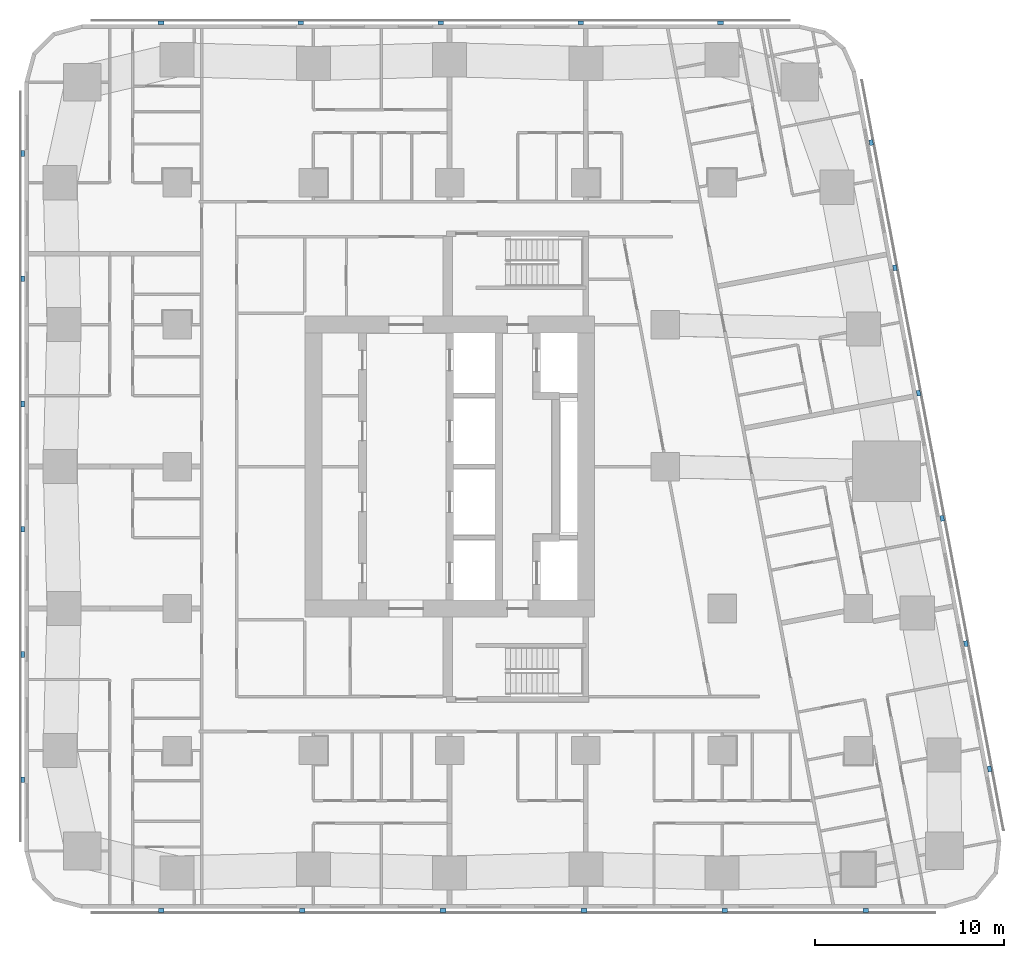
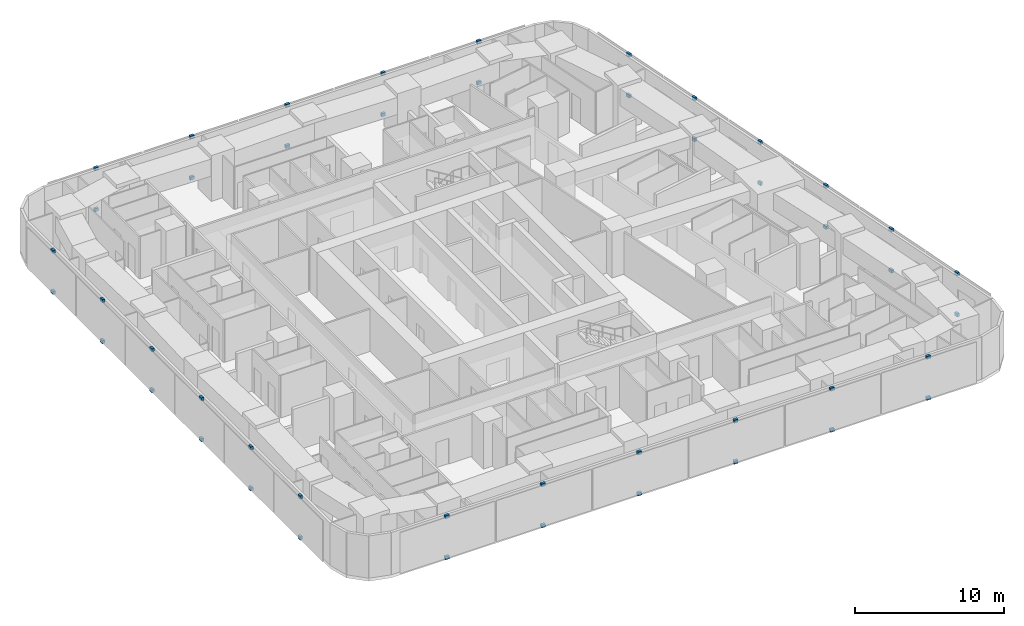
# One storey, part 12 of 15: 46 discrete accessories.
"""IFC4 building model written with IfcOpenShell, lengths in metres."""

from ifc_helpers import new_model, si_unit, direction, frame, origin, origin_2d, place, context, subcontext, project, spatial, rectangle, extrude, material, type_object, element, save


model = new_model("IFC4")

# Units and contexts
model_context = context("Model", 3, precision=1e-05, world=origin(), true_north=direction((0.0, 1.0)))
body_context = subcontext(model_context, "Body", "Model", "MODEL_VIEW")
ifc_project = project(units=[si_unit("LENGTHUNIT", "METRE"), si_unit("AREAUNIT", "SQUARE_METRE"), si_unit("VOLUMEUNIT", "CUBIC_METRE"), si_unit("PLANEANGLEUNIT", "RADIAN"), si_unit("MASSUNIT", "GRAM", prefix="KILO")], contexts=[model_context])

# Site, building, storey
site_placement = place(None, origin())
site = spatial("IfcSite", under=ifc_project, at=site_placement, CompositionType="ELEMENT")
building_placement = place(site_placement, origin())
building = spatial("IfcBuilding", under=site, at=building_placement, Name="Sheger Commons Tower", CompositionType="ELEMENT")
storey_placement = place(building_placement, frame((0.0, 0.0, 184.550048828125)))
storey = spatial("IfcBuildingStorey", under=building, at=storey_placement, Name="L47", CompositionType="ELEMENT", Elevation=184.550048828125)

# Discrete accessories
ifc_material = material(Name="Black painted steel bracket", Category="steel")
discrete_accessory_type = type_object("IfcDiscreteAccessoryType", Name="SCREEN BRACKET 300x200x250", PredefinedType="BRACKET", material=ifc_material)
for number, where, z_axis, x_axis, name in (
    (1, (6.37109375, -0.949951171875, -0.10009765625), (0.0, 0.0, 1.0), (1.0, 0.0, 0.0), "Solar screen foot bracket"),
    (2, (6.37109375, -0.949951171875, 3.25), (0.0, 0.0, 1.0), (1.0, 0.0, 0.0), "Solar screen head bracket"),
    (3, (13.81396484375, -0.949951171875, -0.10009765625), (0.0, 0.0, 1.0), (1.0, 0.0, 0.0), "Solar screen foot bracket"),
    (4, (13.81396484375, -0.949951171875, 3.25), (0.0, 0.0, 1.0), (1.0, 0.0, 0.0), "Solar screen head bracket"),
    (5, (21.257080078125, -0.949951171875, -0.10009765625), (0.0, 0.0, 1.0), (1.0, 0.0, 0.0), "Solar screen foot bracket"),
    (6, (21.257080078125, -0.949951171875, 3.25), (0.0, 0.0, 1.0), (1.0, 0.0, 0.0), "Solar screen head bracket"),
    (7, (28.698974609375, -0.949951171875, -0.10009765625), (0.0, 0.0, 1.0), (1.0, 0.0, 0.0), "Solar screen foot bracket"),
    (8, (28.698974609375, -0.949951171875, 3.25), (0.0, 0.0, 1.0), (1.0, 0.0, 0.0), "Solar screen head bracket"),
    (9, (36.14208984375, -0.949951171875, -0.10009765625), (0.0, 0.0, 1.0), (1.0, 0.0, 0.0), "Solar screen foot bracket"),
    (10, (36.14208984375, -0.949951171875, 3.25), (0.0, 0.0, 1.0), (1.0, 0.0, 0.0), "Solar screen head bracket"),
    (11, (43.5849609375, -0.949951171875, -0.10009765625), (0.0, 0.0, 1.0), (1.0, 0.0, 0.0), "Solar screen foot bracket"),
    (12, (43.5849609375, -0.949951171875, 3.25), (0.0, 0.0, 1.0), (1.0, 0.0, 0.0), "Solar screen head bracket"),
    (13, (50.134033203125, 6.527099609375, -0.10009765625), (0.0, 0.0, 1.0), (-0.185615165645, 0.982622516678, 0.0), "Solar screen foot bracket"),
    (14, (50.134033203125, 6.527099609375, 3.25), (0.0, 0.0, 1.0), (-0.185615165645, 0.982622516678, 0.0), "Solar screen head bracket"),
    (15, (48.884033203125, 13.14599609375, -0.10009765625), (0.0, 0.0, 1.0), (-0.185615165645, 0.982622516678, 0.0), "Solar screen foot bracket"),
    (16, (48.884033203125, 13.14599609375, 3.25), (0.0, 0.0, 1.0), (-0.185615165645, 0.982622516678, 0.0), "Solar screen head bracket"),
    (17, (47.633056640625, 19.76611328125, -0.10009765625), (0.0, 0.0, 1.0), (-0.185615165645, 0.982622516678, 0.0), "Solar screen foot bracket"),
    (18, (47.633056640625, 19.76611328125, 3.25), (0.0, 0.0, 1.0), (-0.185615165645, 0.982622516678, 0.0), "Solar screen head bracket"),
    (19, (46.383056640625, 26.385009765625, -0.10009765625), (0.0, 0.0, 1.0), (-0.185615165645, 0.982622516678, 0.0), "Solar screen foot bracket"),
    (20, (46.383056640625, 26.385009765625, 3.25), (0.0, 0.0, 1.0), (-0.185615165645, 0.982622516678, 0.0), "Solar screen head bracket"),
    (21, (45.133056640625, 33.0048828125, -0.10009765625), (0.0, 0.0, 1.0), (-0.185615165645, 0.982622516678, 0.0), "Solar screen foot bracket"),
    (22, (45.133056640625, 33.0048828125, 3.25), (0.0, 0.0, 1.0), (-0.185615165645, 0.982622516678, 0.0), "Solar screen head bracket"),
    (23, (43.882080078125, 39.6240234375, -0.10009765625), (0.0, 0.0, 1.0), (-0.185615165645, 0.982622516678, 0.0), "Solar screen foot bracket"),
    (24, (43.882080078125, 39.6240234375, 3.25), (0.0, 0.0, 1.0), (-0.185615165645, 0.982622516678, 0.0), "Solar screen head bracket"),
    (25, (35.9208984375, 45.949951171875, -0.10009765625), (0.0, 0.0, 1.0), (-1.0, 0.0, 0.0), "Solar screen foot bracket"),
    (26, (35.9208984375, 45.949951171875, 3.25), (0.0, 0.0, 1.0), (-1.0, 0.0, 0.0), "Solar screen head bracket"),
    (27, (28.528076171875, 45.949951171875, -0.10009765625), (0.0, 0.0, 1.0), (-1.0, 0.0, 0.0), "Solar screen foot bracket"),
    (28, (28.528076171875, 45.949951171875, 3.25), (0.0, 0.0, 1.0), (-1.0, 0.0, 0.0), "Solar screen head bracket"),
    (29, (21.134033203125, 45.949951171875, -0.10009765625), (0.0, 0.0, 1.0), (-1.0, 0.0, 0.0), "Solar screen foot bracket"),
    (30, (21.134033203125, 45.949951171875, 3.25), (0.0, 0.0, 1.0), (-1.0, 0.0, 0.0), "Solar screen head bracket"),
    (31, (13.739990234375, 45.949951171875, -0.10009765625), (0.0, 0.0, 1.0), (-1.0, 0.0, 0.0), "Solar screen foot bracket"),
    (32, (13.739990234375, 45.949951171875, 3.25), (0.0, 0.0, 1.0), (-1.0, 0.0, 0.0), "Solar screen head bracket"),
    (33, (6.346923828125, 45.949951171875, -0.10009765625), (0.0, 0.0, 1.0), (-1.0, 0.0, 0.0), "Solar screen foot bracket"),
    (34, (6.346923828125, 45.949951171875, 3.25), (0.0, 0.0, 1.0), (-1.0, 0.0, 0.0), "Solar screen head bracket"),
    (35, (-0.949951171875, 39.0419921875, -0.10009765625), (0.0, 0.0, 1.0), (0.0, -1.0, 0.0), "Solar screen foot bracket"),
    (36, (-0.949951171875, 39.0419921875, 3.25), (0.0, 0.0, 1.0), (0.0, -1.0, 0.0), "Solar screen head bracket"),
    (37, (-0.949951171875, 32.425048828125, -0.10009765625), (0.0, 0.0, 1.0), (0.0, -1.0, 0.0), "Solar screen foot bracket"),
    (38, (-0.949951171875, 32.425048828125, 3.25), (0.0, 0.0, 1.0), (0.0, -1.0, 0.0), "Solar screen head bracket"),
    (39, (-0.949951171875, 25.80810546875, -0.10009765625), (0.0, 0.0, 1.0), (0.0, -1.0, 0.0), "Solar screen foot bracket"),
    (40, (-0.949951171875, 25.80810546875, 3.25), (0.0, 0.0, 1.0), (0.0, -1.0, 0.0), "Solar screen head bracket"),
    (41, (-0.949951171875, 19.19189453125, -0.10009765625), (0.0, 0.0, 1.0), (0.0, -1.0, 0.0), "Solar screen foot bracket"),
    (42, (-0.949951171875, 19.19189453125, 3.25), (0.0, 0.0, 1.0), (0.0, -1.0, 0.0), "Solar screen head bracket"),
    (43, (-0.949951171875, 12.574951171875, -0.10009765625), (0.0, 0.0, 1.0), (0.0, -1.0, 0.0), "Solar screen foot bracket"),
    (44, (-0.949951171875, 12.574951171875, 3.25), (0.0, 0.0, 1.0), (0.0, -1.0, 0.0), "Solar screen head bracket"),
    (45, (-0.949951171875, 5.9580078125, -0.10009765625), (0.0, 0.0, 1.0), (0.0, -1.0, 0.0), "Solar screen foot bracket"),
    (46, (-0.949951171875, 5.9580078125, 3.25), (0.0, 0.0, 1.0), (0.0, -1.0, 0.0), "Solar screen head bracket"),
):
    element("IfcDiscreteAccessory", number, at=place(storey_placement, frame(where, z_axis=z_axis, x_axis=x_axis)), inside=storey, type_object=discrete_accessory_type, Name=name, PredefinedType="BRACKET", context=body_context, shape_type="SweptSolid", body=[
        extrude(rectangle(XDim=0.300048828125, YDim=0.199951171875, at=origin_2d()), origin(), (0.0, 0.0, 1.0), 0.25),
    ])

save(model, "model.ifc")
